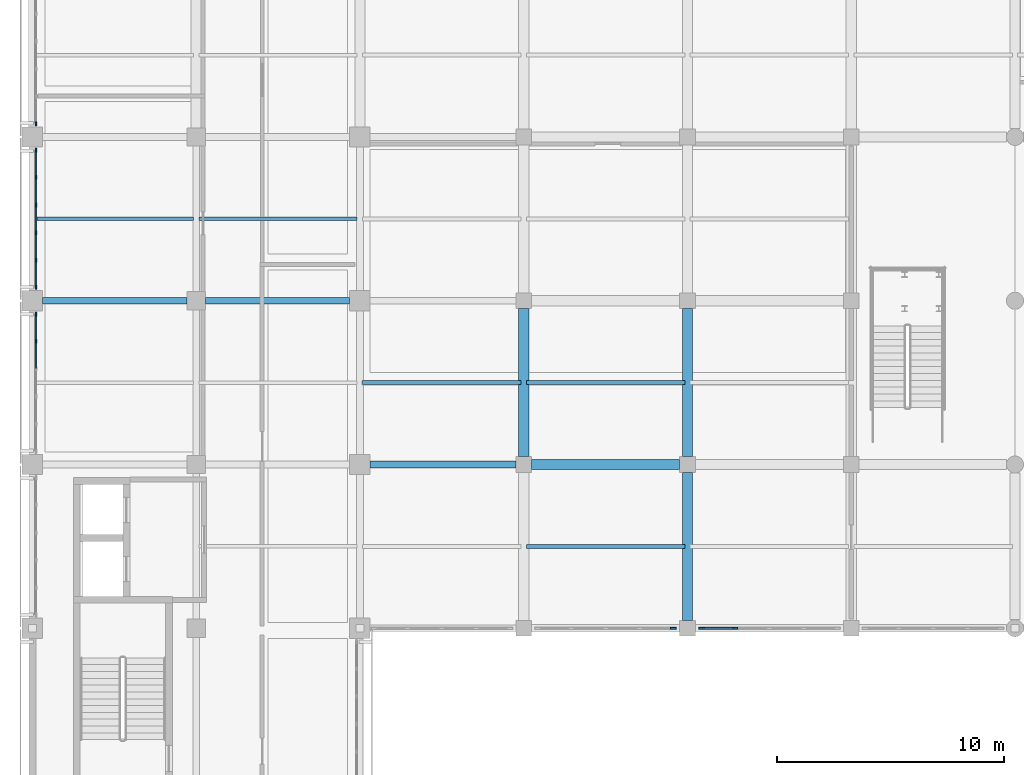
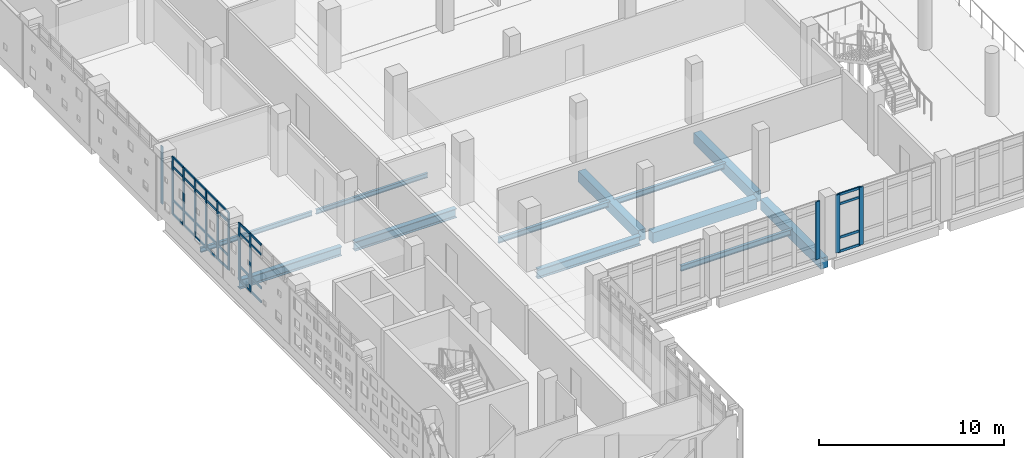
# One storey, part 7 of 57: 44 members, 12 beams, 5 elements without a shape of their own.
"""IFC4 building model written with IfcOpenShell, lengths in metres."""

from ifc_helpers import new_model, si_unit, direction, frame, origin, origin_2d, place, context, subcontext, project, spatial, rectangle, i_section, extrude, material, layer, layer_set, material_profile, profile_set, type_object, element, aggregate, save


model = new_model("IFC4")

# Units and contexts
model_context = context("Model", 3, precision=1e-05, world=origin(), true_north=direction((0.0, 1.0)))
body_context = subcontext(model_context, "Body", "Model", "MODEL_VIEW")
ifc_project = project(units=[si_unit("LENGTHUNIT", "METRE"), si_unit("AREAUNIT", "SQUARE_METRE"), si_unit("VOLUMEUNIT", "CUBIC_METRE"), si_unit("PLANEANGLEUNIT", "RADIAN"), si_unit("MASSUNIT", "GRAM", prefix="KILO")], contexts=[model_context])

# Site, building, storey
site_placement = place(None, origin())
site = spatial("IfcSite", under=ifc_project, at=site_placement, CompositionType="ELEMENT")
building_placement = place(site_placement, origin())
building = spatial("IfcBuilding", under=site, at=building_placement, Name="Valkovuoma Quantum and Materials Research Institute", CompositionType="ELEMENT")
storey_placement = place(building_placement, frame((0.0, 0.0, 4.800048828125)))
storey = spatial("IfcBuildingStorey", under=building, at=storey_placement, Name="L01", CompositionType="ELEMENT", Elevation=4.800048828125)

# Beams
ifc_material_1 = material(Name="Steel S355J2", Category="steel")
ifc_material_profile_1 = material_profile(ifc_material_1, i_section(OverallWidth=0.300048828125, OverallDepth=0.60009765625, WebThickness=0.015380859375, FlangeThickness=0.030029296875, FilletRadius=0.027099609375, at=origin_2d()), Name="Steel S355J2")
ifc_profile_set_1 = profile_set([ifc_material_profile_1], Name="Steel S355J2")
beam_type_1 = type_object("IfcBeamType", Name="Beam-B-HEB600", PredefinedType="BEAM", material=ifc_profile_set_1)
beam_1_placement = place(storey_placement, frame((14.85009765625, 43.199951171875, -0.650146484375), z_axis=(1.0, 0.0, 0.0), x_axis=(0.0, 1.0, 0.0)))
element("IfcBeam", 1, at=beam_1_placement, inside=storey, type_object=beam_type_1, Name="L01 beam X-0587", PredefinedType="BEAM", context=body_context, shape_type="SweptSolid", body=[
    extrude(i_section(OverallWidth=0.300048828125, OverallDepth=0.60009765625, WebThickness=0.015380859375, FlangeThickness=0.030029296875, FilletRadius=0.027099609375, at=origin_2d()), origin(), (0.0, 0.0, 1.0), 6.39990234375),
])
beam_2_placement = place(storey_placement, frame((0.449951171875, 50.39990234375, -0.650146484375), z_axis=(1.0, 0.0, 0.0), x_axis=(0.0, 1.0, 0.0)))
element("IfcBeam", 2, at=beam_2_placement, inside=storey, type_object=beam_type_1, Name="L01 beam X-0597", PredefinedType="BEAM", context=body_context, shape_type="SweptSolid", body=[
    extrude(i_section(OverallWidth=0.300048828125, OverallDepth=0.60009765625, WebThickness=0.015380859375, FlangeThickness=0.030029296875, FilletRadius=0.027099609375, at=origin_2d()), origin(), (0.0, 0.0, 1.0), 6.35009765625),
])
beam_3_placement = place(storey_placement, frame((7.60009765625, 50.39990234375, -0.650146484375), z_axis=(1.0, 0.0, 0.0), x_axis=(0.0, 1.0, 0.0)))
element("IfcBeam", 3, at=beam_3_placement, inside=storey, type_object=beam_type_1, Name="L01 beam X-0598", PredefinedType="BEAM", context=body_context, shape_type="SweptSolid", body=[
    extrude(i_section(OverallWidth=0.300048828125, OverallDepth=0.60009765625, WebThickness=0.015380859375, FlangeThickness=0.030029296875, FilletRadius=0.027099609375, at=origin_2d()), origin(), (0.0, 0.0, 1.0), 6.349853515625),
])
ifc_material_2 = material(Name="Steel S355J2", Category="steel")
ifc_material_profile_2 = material_profile(ifc_material_2, i_section(OverallWidth=0.14990234375, OverallDepth=0.300048828125, WebThickness=0.007080078125, FlangeThickness=0.0107421875, FilletRadius=0.014892578125, at=origin_2d()), Name="Steel S355J2")
ifc_profile_set_2 = profile_set([ifc_material_profile_2], Name="Steel S355J2")
beam_type_2 = type_object("IfcBeamType", Name="Beam-B-JST300", PredefinedType="JOIST", material=ifc_profile_set_2)
for number, where, z_axis, x_axis, name in (
    (4, (0.1201171875, 54.0, -0.5), (1.0, 0.0, 0.0), (0.0, 1.0, 0.0), "L01 floor joist 0893"),
    (5, (7.320068359375, 54.0, -0.5), (1.0, 0.0, 0.0), (0.0, 1.0, 0.0), "L01 floor joist 0894"),
):
    element("IfcBeam", number, at=place(storey_placement, frame(where, z_axis=z_axis, x_axis=x_axis)), inside=storey, type_object=beam_type_2, Name=name, PredefinedType="JOIST", context=body_context, shape_type="SweptSolid", body=[
        extrude(i_section(OverallWidth=0.14990234375, OverallDepth=0.300048828125, WebThickness=0.007080078125, FlangeThickness=0.0107421875, FilletRadius=0.014892578125, at=origin_2d()), origin(), (0.0, 0.0, 1.0), 6.9599609375),
    ])
ifc_material_3 = material(Name="Steel S355J2", Category="steel")
ifc_material_profile_3 = material_profile(ifc_material_3, i_section(OverallWidth=0.169921875, OverallDepth=0.360107421875, WebThickness=0.008056640625, FlangeThickness=0.0126953125, FilletRadius=0.01806640625, at=origin_2d()), Name="Steel S355J2")
ifc_profile_set_3 = profile_set([ifc_material_profile_3], Name="Steel S355J2")
beam_type_3 = type_object("IfcBeamType", Name="Beam-B-JST360", PredefinedType="JOIST", material=ifc_profile_set_3)
for number, where, z_axis, x_axis, name in (
    (6, (21.719970703125, 39.60009765625, -0.530029296875), (1.0, 0.0, 0.0), (0.0, 1.0, 0.0), "L01 floor joist 0873"),
    (7, (14.52001953125, 46.800048828125, -0.530029296875), (1.0, 0.0, 0.0), (0.0, 1.0, 0.0), "L01 floor joist 0884"),
    (8, (21.719970703125, 46.800048828125, -0.530029296875), (1.0, 0.0, 0.0), (0.0, 1.0, 0.0), "L01 floor joist 0885"),
):
    element("IfcBeam", number, at=place(storey_placement, frame(where, z_axis=z_axis, x_axis=x_axis)), inside=storey, type_object=beam_type_3, Name=name, PredefinedType="JOIST", context=body_context, shape_type="SweptSolid", body=[
        extrude(i_section(OverallWidth=0.169921875, OverallDepth=0.360107421875, WebThickness=0.008056640625, FlangeThickness=0.0126953125, FilletRadius=0.01806640625, at=origin_2d()), origin(), (0.0, 0.0, 1.0), 6.9599609375),
    ])
ifc_material_4 = material(Name="Concrete C40/50", Category="concrete")
ifc_material_profile_4 = material_profile(ifc_material_4, rectangle(XDim=0.449951171875, YDim=0.699951171875, at=origin_2d()), Name="Concrete C40/50")
ifc_profile_set_4 = profile_set([ifc_material_profile_4], Name="Concrete C40/50")
beam_type_4 = type_object("IfcBeamType", Name="Beam-B-RC700", PredefinedType="BEAM", material=ifc_profile_set_4)
for number, where, z_axis, x_axis, name in (
    (9, (21.949951171875, 43.199951171875, -0.699951171875), (1.0, 0.0, 0.0), (0.0, 1.0, 0.0), "L01 beam X-0588"),
    (10, (21.60009765625, 43.550048828125, -0.699951171875), (0.0, 1.0, 0.0), (-1.0, 0.0, 0.0), "L01 beam Y-0732"),
    (11, (28.800048828125, 36.35009765625, -0.699951171875), (0.0, 1.0, 0.0), (-1.0, 0.0, 0.0), "L01 beam Y-0741"),
    (12, (28.800048828125, 43.550048828125, -0.699951171875), (0.0, 1.0, 0.0), (-1.0, 0.0, 0.0), "L01 beam Y-0742"),
):
    element("IfcBeam", number, at=place(storey_placement, frame(where, z_axis=z_axis, x_axis=x_axis)), inside=storey, type_object=beam_type_4, Name=name, PredefinedType="BEAM", context=body_context, shape_type="SweptSolid", body=[
        extrude(rectangle(XDim=0.449951171875, YDim=0.699951171875, at=origin_2d()), origin(), (0.0, 0.0, 1.0), 6.5),
    ])

# Curtain wall, members
ifc_material_5 = material(Name="Thermally broken aluminium and triple low-E glazing", Category="aluminium")
ifc_layer_1 = layer(ifc_material_5, 0.219970703125)
ifc_layer_set_1 = layer_set([ifc_layer_1], Name="Thermally broken aluminium and triple low-E glazing")
curtain_wall_type_1 = type_object("IfcCurtainWallType", Name="CW-CW-01", PredefinedType="NOTDEFINED", material=ifc_layer_set_1)
curtain_wall_1_placement = place(storey_placement, origin())
curtain_wall_1 = element("IfcCurtainWall", 13, at=curtain_wall_1_placement, inside=storey, type_object=curtain_wall_type_1, Name="L01 curtain wall 012", PredefinedType="NOTDEFINED")
ifc_material_6 = material(Name="Anodised aluminium 6060-T66", Category="aluminium")
ifc_material_profile_5 = material_profile(ifc_material_6, rectangle(XDim=0.06494140625, YDim=0.179931640625, at=origin_2d()), Name="Anodised aluminium 6060-T66")
ifc_profile_set_5 = profile_set([ifc_material_profile_5], Name="Anodised aluminium 6060-T66")
member_type_1 = type_object("IfcMemberType", Name="CWMull-CWM-01", PredefinedType="MULLION", material=ifc_profile_set_5)
member_1_placement = place(storey_placement, frame((0.14990234375, 48.625732421875, 0.0), z_axis=(0.0, 0.0, 1.0), x_axis=(-1.0, 0.0, 0.0)))
member_1 = element("IfcMember", 14, at=member_1_placement, type_object=member_type_1, Name="CW-01 mullion 5", PredefinedType="MULLION", context=body_context, shape_type="SweptSolid", body=[
    extrude(rectangle(XDim=0.06494140625, YDim=0.179931640625, at=origin_2d()), origin(), (0.0, 0.0, 1.0), 3.81005859375),
])
member_2_placement = place(storey_placement, frame((0.14990234375, 49.810302734375, 0.0), z_axis=(0.0, 0.0, 1.0), x_axis=(-1.0, 0.0, 0.0)))
member_2 = element("IfcMember", 15, at=member_2_placement, type_object=member_type_1, Name="CW-01 mullion 6", PredefinedType="MULLION", context=body_context, shape_type="SweptSolid", body=[
    extrude(rectangle(XDim=0.06494140625, YDim=0.179931640625, at=origin_2d()), origin(), (0.0, 0.0, 1.0), 3.81005859375),
])

curtain_wall_2_placement = place(storey_placement, origin())
curtain_wall_2 = element("IfcCurtainWall", 16, at=curtain_wall_2_placement, inside=storey, type_object=curtain_wall_type_1, Name="L01 curtain wall 013", PredefinedType="NOTDEFINED")
member_3_placement = place(storey_placement, frame((0.14990234375, 50.989501953125, 0.0), z_axis=(0.0, 0.0, 1.0), x_axis=(-1.0, 0.0, 0.0)))
member_3 = element("IfcMember", 17, at=member_3_placement, type_object=member_type_1, Name="CW-01 mullion 1", PredefinedType="MULLION", context=body_context, shape_type="SweptSolid", body=[
    extrude(rectangle(XDim=0.06494140625, YDim=0.179931640625, at=origin_2d()), origin(), (0.0, 0.0, 1.0), 3.81005859375),
])
member_4_placement = place(storey_placement, frame((0.14990234375, 52.17431640625, 0.0), z_axis=(0.0, 0.0, 1.0), x_axis=(-1.0, 0.0, 0.0)))
member_4 = element("IfcMember", 18, at=member_4_placement, type_object=member_type_1, Name="CW-01 mullion 2", PredefinedType="MULLION", context=body_context, shape_type="SweptSolid", body=[
    extrude(rectangle(XDim=0.06494140625, YDim=0.179931640625, at=origin_2d()), origin(), (0.0, 0.0, 1.0), 3.81005859375),
])
member_5_placement = place(storey_placement, frame((0.14990234375, 53.391357421875, 0.0), z_axis=(0.0, 0.0, 1.0), x_axis=(-1.0, 0.0, 0.0)))
member_5 = element("IfcMember", 19, at=member_5_placement, type_object=member_type_1, Name="CW-01 mullion 3", PredefinedType="MULLION", context=body_context, shape_type="SweptSolid", body=[
    extrude(rectangle(XDim=0.06494140625, YDim=0.179931640625, at=origin_2d()), origin(), (0.0, 0.0, 1.0), 3.81005859375),
])
member_6_placement = place(storey_placement, frame((0.14990234375, 54.608642578125, 0.0), z_axis=(0.0, 0.0, 1.0), x_axis=(-1.0, 0.0, 0.0)))
member_6 = element("IfcMember", 20, at=member_6_placement, type_object=member_type_1, Name="CW-01 mullion 4", PredefinedType="MULLION", context=body_context, shape_type="SweptSolid", body=[
    extrude(rectangle(XDim=0.06494140625, YDim=0.179931640625, at=origin_2d()), origin(), (0.0, 0.0, 1.0), 3.81005859375),
])
member_7_placement = place(storey_placement, frame((0.14990234375, 55.82568359375, 0.0), z_axis=(0.0, 0.0, 1.0), x_axis=(-1.0, 0.0, 0.0)))
member_7 = element("IfcMember", 21, at=member_7_placement, type_object=member_type_1, Name="CW-01 mullion 5", PredefinedType="MULLION", context=body_context, shape_type="SweptSolid", body=[
    extrude(rectangle(XDim=0.06494140625, YDim=0.179931640625, at=origin_2d()), origin(), (0.0, 0.0, 1.0), 3.81005859375),
])
member_8_placement = place(storey_placement, frame((0.14990234375, 57.010498046875, 0.0), z_axis=(0.0, 0.0, 1.0), x_axis=(-1.0, 0.0, 0.0)))
member_8 = element("IfcMember", 22, at=member_8_placement, type_object=member_type_1, Name="CW-01 mullion 6", PredefinedType="MULLION", context=body_context, shape_type="SweptSolid", body=[
    extrude(rectangle(XDim=0.06494140625, YDim=0.179931640625, at=origin_2d()), origin(), (0.0, 0.0, 1.0), 3.81005859375),
])

# Curtain wall, member
curtain_wall_3_placement = place(storey_placement, origin())
curtain_wall_3 = element("IfcCurtainWall", 23, at=curtain_wall_3_placement, inside=storey, type_object=curtain_wall_type_1, Name="L01 curtain wall 014", PredefinedType="NOTDEFINED")
member_9_placement = place(storey_placement, frame((0.14990234375, 58.189697265625, 0.0), z_axis=(0.0, 0.0, 1.0), x_axis=(-1.0, 0.0, 0.0)))
member_9 = element("IfcMember", 24, at=member_9_placement, type_object=member_type_1, Name="CW-01 mullion 1", PredefinedType="MULLION", context=body_context, shape_type="SweptSolid", body=[
    extrude(rectangle(XDim=0.06494140625, YDim=0.179931640625, at=origin_2d()), origin(), (0.0, 0.0, 1.0), 3.81005859375),
])
aggregate(curtain_wall_3, [member_9])

ifc_material_7 = material(Name="Thermally broken aluminium and triple low-E glazing", Category="aluminium")
ifc_layer_2 = layer(ifc_material_7, 0.219970703125)
ifc_layer_set_2 = layer_set([ifc_layer_2], Name="Thermally broken aluminium and triple low-E glazing")
curtain_wall_type_2 = type_object("IfcCurtainWallType", Name="CW-CW-02", PredefinedType="NOTDEFINED", material=ifc_layer_set_2)
curtain_wall_4_placement = place(storey_placement, origin())
curtain_wall_4 = element("IfcCurtainWall", 25, at=curtain_wall_4_placement, inside=storey, type_object=curtain_wall_type_2, Name="L01 curtain wall 160", PredefinedType="NOTDEFINED")
ifc_material_8 = material(Name="Anodised aluminium 6060-T66", Category="aluminium")
ifc_material_profile_6 = material_profile(ifc_material_8, rectangle(XDim=0.080078125, YDim=0.260009765625, at=origin_2d()), Name="Anodised aluminium 6060-T66")
ifc_profile_set_6 = profile_set([ifc_material_profile_6], Name="Anodised aluminium 6060-T66")
member_type_2 = type_object("IfcMemberType", Name="CWMull-CWM-03", PredefinedType="MULLION", material=ifc_profile_set_6)
member_10_placement = place(storey_placement, frame((28.179931640625, 36.0, 0.0), z_axis=(0.0, 0.0, 1.0), x_axis=(0.0, 1.0, 0.0)))
member_10 = element("IfcMember", 26, at=member_10_placement, type_object=member_type_2, Name="CW-02 mullion 5", PredefinedType="MULLION", context=body_context, shape_type="SweptSolid", body=[
    extrude(rectangle(XDim=0.080078125, YDim=0.260009765625, at=origin_2d()), origin(), (0.0, 0.0, 1.0), 3.81005859375),
])
aggregate(curtain_wall_4, [member_10])

# Curtain wall, members
curtain_wall_5_placement = place(storey_placement, origin())
curtain_wall_5 = element("IfcCurtainWall", 27, at=curtain_wall_5_placement, inside=storey, type_object=curtain_wall_type_2, Name="L01 curtain wall 161", PredefinedType="NOTDEFINED")
member_11_placement = place(storey_placement, frame((29.419921875, 36.0, 0.0), z_axis=(0.0, 0.0, 1.0), x_axis=(0.0, 1.0, 0.0)))
member_11 = element("IfcMember", 28, at=member_11_placement, type_object=member_type_2, Name="CW-02 mullion 1", PredefinedType="MULLION", context=body_context, shape_type="SweptSolid", body=[
    extrude(rectangle(XDim=0.080078125, YDim=0.260009765625, at=origin_2d()), origin(), (0.0, 0.0, 1.0), 3.81005859375),
])
member_12_placement = place(storey_placement, frame((30.889892578125, 36.0, 0.0), z_axis=(0.0, 0.0, 1.0), x_axis=(0.0, 1.0, 0.0)))
member_12 = element("IfcMember", 29, at=member_12_placement, type_object=member_type_2, Name="CW-02 mullion 2", PredefinedType="MULLION", context=body_context, shape_type="SweptSolid", body=[
    extrude(rectangle(XDim=0.080078125, YDim=0.260009765625, at=origin_2d()), origin(), (0.0, 0.0, 1.0), 3.81005859375),
])

# Member
ifc_material_9 = material(Name="Anodised aluminium 6060-T66", Category="aluminium")
ifc_material_profile_7 = material_profile(ifc_material_9, rectangle(XDim=0.06494140625, YDim=0.139892578125, at=origin_2d()), Name="Anodised aluminium 6060-T66")
ifc_profile_set_7 = profile_set([ifc_material_profile_7], Name="Anodised aluminium 6060-T66")
member_type_3 = type_object("IfcMemberType", Name="CWTran-CWT-01", PredefinedType="USERDEFINED", material=ifc_profile_set_7)
member_13_placement = place(storey_placement, frame((0.14990234375, 47.441162109375, 0.032470703125), z_axis=(0.0, 1.0, 0.0), x_axis=(-1.0, 0.0, 0.0)))
member_13 = element("IfcMember", 30, at=member_13_placement, type_object=member_type_3, Name="CW-01 transom 4.1", ObjectType="TRANSOM", PredefinedType="USERDEFINED", context=body_context, shape_type="SweptSolid", body=[
    extrude(rectangle(XDim=0.06494140625, YDim=0.139892578125, at=origin_2d()), origin(), (0.0, 0.0, 1.0), 1.152099609375),
])

member_14_placement = place(storey_placement, frame((0.14990234375, 47.441162109375, 0.949951171875), z_axis=(0.0, 1.0, 0.0), x_axis=(-1.0, 0.0, 0.0)))
member_14 = element("IfcMember", 31, at=member_14_placement, type_object=member_type_3, Name="CW-01 transom 4.2", ObjectType="TRANSOM", PredefinedType="USERDEFINED", context=body_context, shape_type="SweptSolid", body=[
    extrude(rectangle(XDim=0.06494140625, YDim=0.139892578125, at=origin_2d()), origin(), (0.0, 0.0, 1.0), 1.152099609375),
])

member_15_placement = place(storey_placement, frame((0.14990234375, 47.441162109375, 3.159912109375), z_axis=(0.0, 1.0, 0.0), x_axis=(-1.0, 0.0, 0.0)))
member_15 = element("IfcMember", 32, at=member_15_placement, type_object=member_type_3, Name="CW-01 transom 4.3", ObjectType="TRANSOM", PredefinedType="USERDEFINED", context=body_context, shape_type="SweptSolid", body=[
    extrude(rectangle(XDim=0.06494140625, YDim=0.139892578125, at=origin_2d()), origin(), (0.0, 0.0, 1.0), 1.152099609375),
])

member_16_placement = place(storey_placement, frame((0.14990234375, 47.441162109375, 3.77734375), z_axis=(0.0, 1.0, 0.0), x_axis=(-1.0, 0.0, 0.0)))
member_16 = element("IfcMember", 33, at=member_16_placement, type_object=member_type_3, Name="CW-01 transom 4.4", ObjectType="TRANSOM", PredefinedType="USERDEFINED", context=body_context, shape_type="SweptSolid", body=[
    extrude(rectangle(XDim=0.06494140625, YDim=0.139892578125, at=origin_2d()), origin(), (0.0, 0.0, 1.0), 1.152099609375),
])

member_17_placement = place(storey_placement, frame((0.14990234375, 48.658203125, 0.032470703125), z_axis=(0.0, 1.0, 0.0), x_axis=(-1.0, 0.0, 0.0)))
member_17 = element("IfcMember", 34, at=member_17_placement, type_object=member_type_3, Name="CW-01 transom 5.1", ObjectType="TRANSOM", PredefinedType="USERDEFINED", context=body_context, shape_type="SweptSolid", body=[
    extrude(rectangle(XDim=0.06494140625, YDim=0.139892578125, at=origin_2d()), origin(), (0.0, 0.0, 1.0), 1.11962890625),
])

member_18_placement = place(storey_placement, frame((0.14990234375, 48.658203125, 0.949951171875), z_axis=(0.0, 1.0, 0.0), x_axis=(-1.0, 0.0, 0.0)))
member_18 = element("IfcMember", 35, at=member_18_placement, type_object=member_type_3, Name="CW-01 transom 5.2", ObjectType="TRANSOM", PredefinedType="USERDEFINED", context=body_context, shape_type="SweptSolid", body=[
    extrude(rectangle(XDim=0.06494140625, YDim=0.139892578125, at=origin_2d()), origin(), (0.0, 0.0, 1.0), 1.11962890625),
])

member_19_placement = place(storey_placement, frame((0.14990234375, 48.658203125, 3.159912109375), z_axis=(0.0, 1.0, 0.0), x_axis=(-1.0, 0.0, 0.0)))
member_19 = element("IfcMember", 36, at=member_19_placement, type_object=member_type_3, Name="CW-01 transom 5.3", ObjectType="TRANSOM", PredefinedType="USERDEFINED", context=body_context, shape_type="SweptSolid", body=[
    extrude(rectangle(XDim=0.06494140625, YDim=0.139892578125, at=origin_2d()), origin(), (0.0, 0.0, 1.0), 1.11962890625),
])

member_20_placement = place(storey_placement, frame((0.14990234375, 48.658203125, 3.77734375), z_axis=(0.0, 1.0, 0.0), x_axis=(-1.0, 0.0, 0.0)))
member_20 = element("IfcMember", 37, at=member_20_placement, type_object=member_type_3, Name="CW-01 transom 5.4", ObjectType="TRANSOM", PredefinedType="USERDEFINED", context=body_context, shape_type="SweptSolid", body=[
    extrude(rectangle(XDim=0.06494140625, YDim=0.139892578125, at=origin_2d()), origin(), (0.0, 0.0, 1.0), 1.11962890625),
])

aggregate(curtain_wall_1, [member_1, member_2, member_13, member_14, member_15, member_16, member_17, member_18, member_19, member_20])

member_21_placement = place(storey_placement, frame((0.14990234375, 51.022216796875, 0.032470703125), z_axis=(0.0, 1.0, 0.0), x_axis=(-1.0, 0.0, 0.0)))
member_21 = element("IfcMember", 38, at=member_21_placement, type_object=member_type_3, Name="CW-01 transom 1.1", ObjectType="TRANSOM", PredefinedType="USERDEFINED", context=body_context, shape_type="SweptSolid", body=[
    extrude(rectangle(XDim=0.06494140625, YDim=0.139892578125, at=origin_2d()), origin(), (0.0, 0.0, 1.0), 1.11962890625),
])

member_22_placement = place(storey_placement, frame((0.14990234375, 51.022216796875, 0.949951171875), z_axis=(0.0, 1.0, 0.0), x_axis=(-1.0, 0.0, 0.0)))
member_22 = element("IfcMember", 39, at=member_22_placement, type_object=member_type_3, Name="CW-01 transom 1.2", ObjectType="TRANSOM", PredefinedType="USERDEFINED", context=body_context, shape_type="SweptSolid", body=[
    extrude(rectangle(XDim=0.06494140625, YDim=0.139892578125, at=origin_2d()), origin(), (0.0, 0.0, 1.0), 1.11962890625),
])

member_23_placement = place(storey_placement, frame((0.14990234375, 51.022216796875, 3.159912109375), z_axis=(0.0, 1.0, 0.0), x_axis=(-1.0, 0.0, 0.0)))
member_23 = element("IfcMember", 40, at=member_23_placement, type_object=member_type_3, Name="CW-01 transom 1.3", ObjectType="TRANSOM", PredefinedType="USERDEFINED", context=body_context, shape_type="SweptSolid", body=[
    extrude(rectangle(XDim=0.06494140625, YDim=0.139892578125, at=origin_2d()), origin(), (0.0, 0.0, 1.0), 1.11962890625),
])

member_24_placement = place(storey_placement, frame((0.14990234375, 51.022216796875, 3.77734375), z_axis=(0.0, 1.0, 0.0), x_axis=(-1.0, 0.0, 0.0)))
member_24 = element("IfcMember", 41, at=member_24_placement, type_object=member_type_3, Name="CW-01 transom 1.4", ObjectType="TRANSOM", PredefinedType="USERDEFINED", context=body_context, shape_type="SweptSolid", body=[
    extrude(rectangle(XDim=0.06494140625, YDim=0.139892578125, at=origin_2d()), origin(), (0.0, 0.0, 1.0), 1.11962890625),
])

member_25_placement = place(storey_placement, frame((0.14990234375, 52.206787109375, 0.032470703125), z_axis=(0.0, 1.0, 0.0), x_axis=(-1.0, 0.0, 0.0)))
member_25 = element("IfcMember", 42, at=member_25_placement, type_object=member_type_3, Name="CW-01 transom 2.1", ObjectType="TRANSOM", PredefinedType="USERDEFINED", context=body_context, shape_type="SweptSolid", body=[
    extrude(rectangle(XDim=0.06494140625, YDim=0.139892578125, at=origin_2d()), origin(), (0.0, 0.0, 1.0), 1.152099609375),
])

member_26_placement = place(storey_placement, frame((0.14990234375, 52.206787109375, 0.949951171875), z_axis=(0.0, 1.0, 0.0), x_axis=(-1.0, 0.0, 0.0)))
member_26 = element("IfcMember", 43, at=member_26_placement, type_object=member_type_3, Name="CW-01 transom 2.2", ObjectType="TRANSOM", PredefinedType="USERDEFINED", context=body_context, shape_type="SweptSolid", body=[
    extrude(rectangle(XDim=0.06494140625, YDim=0.139892578125, at=origin_2d()), origin(), (0.0, 0.0, 1.0), 1.152099609375),
])

member_27_placement = place(storey_placement, frame((0.14990234375, 52.206787109375, 3.159912109375), z_axis=(0.0, 1.0, 0.0), x_axis=(-1.0, 0.0, 0.0)))
member_27 = element("IfcMember", 44, at=member_27_placement, type_object=member_type_3, Name="CW-01 transom 2.3", ObjectType="TRANSOM", PredefinedType="USERDEFINED", context=body_context, shape_type="SweptSolid", body=[
    extrude(rectangle(XDim=0.06494140625, YDim=0.139892578125, at=origin_2d()), origin(), (0.0, 0.0, 1.0), 1.152099609375),
])

member_28_placement = place(storey_placement, frame((0.14990234375, 52.206787109375, 3.77734375), z_axis=(0.0, 1.0, 0.0), x_axis=(-1.0, 0.0, 0.0)))
member_28 = element("IfcMember", 45, at=member_28_placement, type_object=member_type_3, Name="CW-01 transom 2.4", ObjectType="TRANSOM", PredefinedType="USERDEFINED", context=body_context, shape_type="SweptSolid", body=[
    extrude(rectangle(XDim=0.06494140625, YDim=0.139892578125, at=origin_2d()), origin(), (0.0, 0.0, 1.0), 1.152099609375),
])

member_29_placement = place(storey_placement, frame((0.14990234375, 53.423828125, 0.032470703125), z_axis=(0.0, 1.0, 0.0), x_axis=(-1.0, 0.0, 0.0)))
member_29 = element("IfcMember", 46, at=member_29_placement, type_object=member_type_3, Name="CW-01 transom 3.1", ObjectType="TRANSOM", PredefinedType="USERDEFINED", context=body_context, shape_type="SweptSolid", body=[
    extrude(rectangle(XDim=0.06494140625, YDim=0.139892578125, at=origin_2d()), origin(), (0.0, 0.0, 1.0), 1.15234375),
])

member_30_placement = place(storey_placement, frame((0.14990234375, 53.423828125, 0.949951171875), z_axis=(0.0, 1.0, 0.0), x_axis=(-1.0, 0.0, 0.0)))
member_30 = element("IfcMember", 47, at=member_30_placement, type_object=member_type_3, Name="CW-01 transom 3.2", ObjectType="TRANSOM", PredefinedType="USERDEFINED", context=body_context, shape_type="SweptSolid", body=[
    extrude(rectangle(XDim=0.06494140625, YDim=0.139892578125, at=origin_2d()), origin(), (0.0, 0.0, 1.0), 1.15234375),
])

member_31_placement = place(storey_placement, frame((0.14990234375, 53.423828125, 3.159912109375), z_axis=(0.0, 1.0, 0.0), x_axis=(-1.0, 0.0, 0.0)))
member_31 = element("IfcMember", 48, at=member_31_placement, type_object=member_type_3, Name="CW-01 transom 3.3", ObjectType="TRANSOM", PredefinedType="USERDEFINED", context=body_context, shape_type="SweptSolid", body=[
    extrude(rectangle(XDim=0.06494140625, YDim=0.139892578125, at=origin_2d()), origin(), (0.0, 0.0, 1.0), 1.15234375),
])

member_32_placement = place(storey_placement, frame((0.14990234375, 53.423828125, 3.77734375), z_axis=(0.0, 1.0, 0.0), x_axis=(-1.0, 0.0, 0.0)))
member_32 = element("IfcMember", 49, at=member_32_placement, type_object=member_type_3, Name="CW-01 transom 3.4", ObjectType="TRANSOM", PredefinedType="USERDEFINED", context=body_context, shape_type="SweptSolid", body=[
    extrude(rectangle(XDim=0.06494140625, YDim=0.139892578125, at=origin_2d()), origin(), (0.0, 0.0, 1.0), 1.15234375),
])

member_33_placement = place(storey_placement, frame((0.14990234375, 54.64111328125, 0.032470703125), z_axis=(0.0, 1.0, 0.0), x_axis=(-1.0, 0.0, 0.0)))
member_33 = element("IfcMember", 50, at=member_33_placement, type_object=member_type_3, Name="CW-01 transom 4.1", ObjectType="TRANSOM", PredefinedType="USERDEFINED", context=body_context, shape_type="SweptSolid", body=[
    extrude(rectangle(XDim=0.06494140625, YDim=0.139892578125, at=origin_2d()), origin(), (0.0, 0.0, 1.0), 1.152099609375),
])

member_34_placement = place(storey_placement, frame((0.14990234375, 54.64111328125, 0.949951171875), z_axis=(0.0, 1.0, 0.0), x_axis=(-1.0, 0.0, 0.0)))
member_34 = element("IfcMember", 51, at=member_34_placement, type_object=member_type_3, Name="CW-01 transom 4.2", ObjectType="TRANSOM", PredefinedType="USERDEFINED", context=body_context, shape_type="SweptSolid", body=[
    extrude(rectangle(XDim=0.06494140625, YDim=0.139892578125, at=origin_2d()), origin(), (0.0, 0.0, 1.0), 1.152099609375),
])

member_35_placement = place(storey_placement, frame((0.14990234375, 54.64111328125, 3.159912109375), z_axis=(0.0, 1.0, 0.0), x_axis=(-1.0, 0.0, 0.0)))
member_35 = element("IfcMember", 52, at=member_35_placement, type_object=member_type_3, Name="CW-01 transom 4.3", ObjectType="TRANSOM", PredefinedType="USERDEFINED", context=body_context, shape_type="SweptSolid", body=[
    extrude(rectangle(XDim=0.06494140625, YDim=0.139892578125, at=origin_2d()), origin(), (0.0, 0.0, 1.0), 1.152099609375),
])

member_36_placement = place(storey_placement, frame((0.14990234375, 54.64111328125, 3.77734375), z_axis=(0.0, 1.0, 0.0), x_axis=(-1.0, 0.0, 0.0)))
member_36 = element("IfcMember", 53, at=member_36_placement, type_object=member_type_3, Name="CW-01 transom 4.4", ObjectType="TRANSOM", PredefinedType="USERDEFINED", context=body_context, shape_type="SweptSolid", body=[
    extrude(rectangle(XDim=0.06494140625, YDim=0.139892578125, at=origin_2d()), origin(), (0.0, 0.0, 1.0), 1.152099609375),
])

member_37_placement = place(storey_placement, frame((0.14990234375, 55.858154296875, 0.032470703125), z_axis=(0.0, 1.0, 0.0), x_axis=(-1.0, 0.0, 0.0)))
member_37 = element("IfcMember", 54, at=member_37_placement, type_object=member_type_3, Name="CW-01 transom 5.1", ObjectType="TRANSOM", PredefinedType="USERDEFINED", context=body_context, shape_type="SweptSolid", body=[
    extrude(rectangle(XDim=0.06494140625, YDim=0.139892578125, at=origin_2d()), origin(), (0.0, 0.0, 1.0), 1.11962890625),
])

member_38_placement = place(storey_placement, frame((0.14990234375, 55.858154296875, 0.949951171875), z_axis=(0.0, 1.0, 0.0), x_axis=(-1.0, 0.0, 0.0)))
member_38 = element("IfcMember", 55, at=member_38_placement, type_object=member_type_3, Name="CW-01 transom 5.2", ObjectType="TRANSOM", PredefinedType="USERDEFINED", context=body_context, shape_type="SweptSolid", body=[
    extrude(rectangle(XDim=0.06494140625, YDim=0.139892578125, at=origin_2d()), origin(), (0.0, 0.0, 1.0), 1.11962890625),
])

member_39_placement = place(storey_placement, frame((0.14990234375, 55.858154296875, 3.159912109375), z_axis=(0.0, 1.0, 0.0), x_axis=(-1.0, 0.0, 0.0)))
member_39 = element("IfcMember", 56, at=member_39_placement, type_object=member_type_3, Name="CW-01 transom 5.3", ObjectType="TRANSOM", PredefinedType="USERDEFINED", context=body_context, shape_type="SweptSolid", body=[
    extrude(rectangle(XDim=0.06494140625, YDim=0.139892578125, at=origin_2d()), origin(), (0.0, 0.0, 1.0), 1.11962890625),
])

member_40_placement = place(storey_placement, frame((0.14990234375, 55.858154296875, 3.77734375), z_axis=(0.0, 1.0, 0.0), x_axis=(-1.0, 0.0, 0.0)))
member_40 = element("IfcMember", 57, at=member_40_placement, type_object=member_type_3, Name="CW-01 transom 5.4", ObjectType="TRANSOM", PredefinedType="USERDEFINED", context=body_context, shape_type="SweptSolid", body=[
    extrude(rectangle(XDim=0.06494140625, YDim=0.139892578125, at=origin_2d()), origin(), (0.0, 0.0, 1.0), 1.11962890625),
])

aggregate(curtain_wall_2, [member_3, member_4, member_5, member_6, member_7, member_8, member_21, member_22, member_23, member_24, member_25, member_26, member_27, member_28, member_29, member_30, member_31, member_32, member_33, member_34, member_35, member_36, member_37, member_38, member_39, member_40])

ifc_material_10 = material(Name="Anodised aluminium 6060-T66", Category="aluminium")
ifc_material_profile_8 = material_profile(ifc_material_10, rectangle(XDim=0.074951171875, YDim=0.159912109375, at=origin_2d()), Name="Anodised aluminium 6060-T66")
ifc_profile_set_8 = profile_set([ifc_material_profile_8], Name="Anodised aluminium 6060-T66")
member_type_4 = type_object("IfcMemberType", Name="CWTran-CWT-02", PredefinedType="USERDEFINED", material=ifc_profile_set_8)
member_41_placement = place(storey_placement, frame((29.4599609375, 36.0, 0.037353515625), z_axis=(1.0, 0.0, 0.0), x_axis=(0.0, 1.0, 0.0)))
member_41 = element("IfcMember", 58, at=member_41_placement, type_object=member_type_4, Name="CW-02 transom 1.1", ObjectType="TRANSOM", PredefinedType="USERDEFINED", context=body_context, shape_type="SweptSolid", body=[
    extrude(rectangle(XDim=0.074951171875, YDim=0.159912109375, at=origin_2d()), origin(), (0.0, 0.0, 1.0), 1.39013671875),
])

member_42_placement = place(storey_placement, frame((29.4599609375, 36.0, 0.949951171875), z_axis=(1.0, 0.0, 0.0), x_axis=(0.0, 1.0, 0.0)))
member_42 = element("IfcMember", 59, at=member_42_placement, type_object=member_type_4, Name="CW-02 transom 1.2", ObjectType="TRANSOM", PredefinedType="USERDEFINED", context=body_context, shape_type="SweptSolid", body=[
    extrude(rectangle(XDim=0.074951171875, YDim=0.159912109375, at=origin_2d()), origin(), (0.0, 0.0, 1.0), 1.39013671875),
])

member_43_placement = place(storey_placement, frame((29.4599609375, 36.0, 3.159912109375), z_axis=(1.0, 0.0, 0.0), x_axis=(0.0, 1.0, 0.0)))
member_43 = element("IfcMember", 60, at=member_43_placement, type_object=member_type_4, Name="CW-02 transom 1.3", ObjectType="TRANSOM", PredefinedType="USERDEFINED", context=body_context, shape_type="SweptSolid", body=[
    extrude(rectangle(XDim=0.074951171875, YDim=0.159912109375, at=origin_2d()), origin(), (0.0, 0.0, 1.0), 1.39013671875),
])

member_44_placement = place(storey_placement, frame((29.4599609375, 36.0, 3.7724609375), z_axis=(1.0, 0.0, 0.0), x_axis=(0.0, 1.0, 0.0)))
member_44 = element("IfcMember", 61, at=member_44_placement, type_object=member_type_4, Name="CW-02 transom 1.4", ObjectType="TRANSOM", PredefinedType="USERDEFINED", context=body_context, shape_type="SweptSolid", body=[
    extrude(rectangle(XDim=0.074951171875, YDim=0.159912109375, at=origin_2d()), origin(), (0.0, 0.0, 1.0), 1.39013671875),
])

aggregate(curtain_wall_5, [member_11, member_12, member_41, member_42, member_43, member_44])

save(model, "model.ifc")
